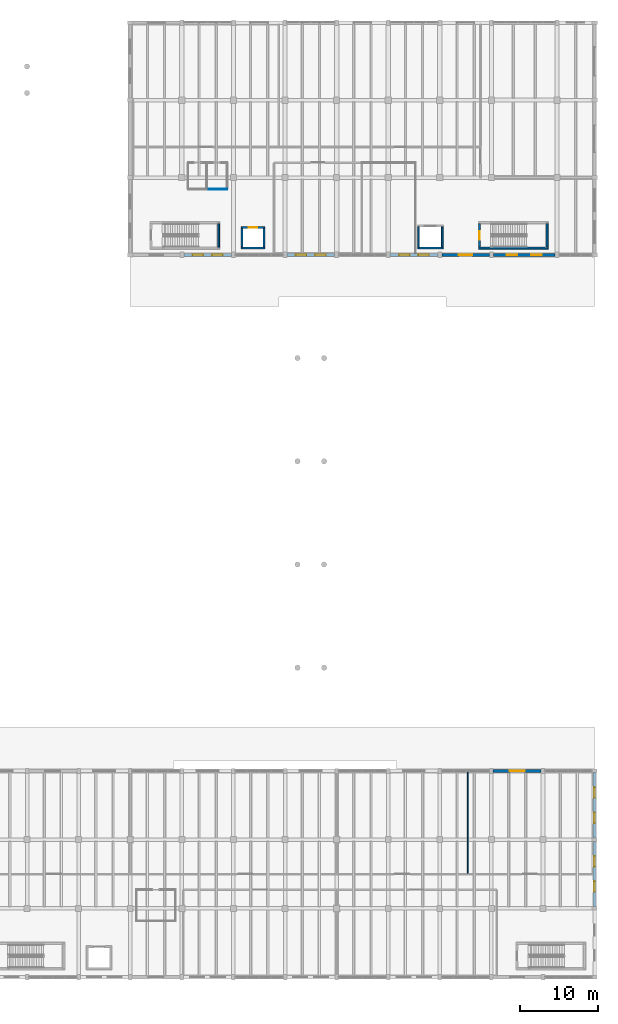
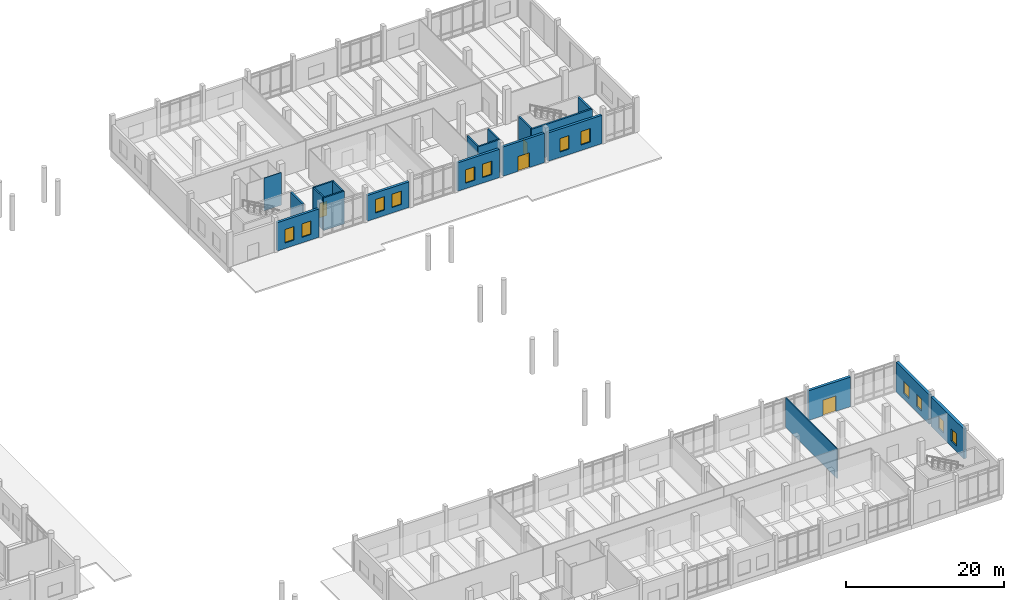
# One storey, part 54 of 72: 21 walls, 12 windows, 4 doors, 16 openings.
"""IFC4 building model written with IfcOpenShell, lengths in metres."""

from ifc_helpers import new_model, si_unit, direction, frame, frame_2d, origin, place, context, subcontext, project, spatial, rectangle, extrude, material, layer, layer_set, type_object, element, fill, save


model = new_model("IFC4")

# Units and contexts
model_context = context("Model", 3, precision=1e-05, world=origin(), true_north=direction((0.0, 1.0)))
body_context = subcontext(model_context, "Body", "Model", "MODEL_VIEW")
ifc_project = project(units=[si_unit("LENGTHUNIT", "METRE"), si_unit("AREAUNIT", "SQUARE_METRE"), si_unit("VOLUMEUNIT", "CUBIC_METRE"), si_unit("PLANEANGLEUNIT", "RADIAN"), si_unit("MASSUNIT", "GRAM", prefix="KILO")], contexts=[model_context])

# Site, building, storey
site_placement = place(None, origin())
site = spatial("IfcSite", under=ifc_project, at=site_placement, CompositionType="ELEMENT")
building_placement = place(site_placement, origin())
building = spatial("IfcBuilding", under=site, at=building_placement, Name="Dornvale Research Institute", CompositionType="ELEMENT")
storey_placement = place(building_placement, origin())
storey = spatial("IfcBuildingStorey", under=building, at=storey_placement, Name="L00", CompositionType="ELEMENT", Elevation=0.0)

# Walls
ifc_material_1 = material(Name="Epoxy-Coated Aluminum Honeycomb Cleanroom Partition", Category="aluminium")
ifc_layer_1 = layer(ifc_material_1, 0.139892578125)
ifc_layer_set_1 = layer_set([ifc_layer_1], Name="Epoxy-Coated Aluminum Honeycomb Cleanroom Partition")
wall_type_1 = type_object("IfcWallType", Name="Partition_Cleanroom_140", PredefinedType="PARTITIONING", material=ifc_layer_set_1)
wall_1_placement = place(storey_placement, frame((162.0, 13.284912109375, 0.0), z_axis=(0.0, 0.0, 1.0), x_axis=(0.0, 1.0, 0.0)))
element("IfcWall", 1, at=wall_1_placement, inside=storey, type_object=wall_type_1, Name="L00 V3 interior partition #121", PredefinedType="PARTITIONING", context=body_context, shape_type="SweptSolid", body=[
    extrude(rectangle(XDim=13.0751953125, YDim=0.139892578125, at=frame_2d((6.53759765625, 0.0))), origin(), (0.0, 0.0, 1.0), 4.580078125),
])
ifc_material_2 = material(Name="Acoustic Insulated Double-Stud Laboratory Partition")
ifc_layer_2 = layer(ifc_material_2, 0.10009765625)
ifc_layer_set_2 = layer_set([ifc_layer_2], Name="Acoustic Insulated Double-Stud Laboratory Partition")
wall_type_2 = type_object("IfcWallType", Name="Partition_Office_100", PredefinedType="PARTITIONING", material=ifc_layer_set_2)
wall_2_placement = place(storey_placement, frame((128.6650390625, 100.800048828125, 0.0), z_axis=(0.0, 0.0, 1.0), x_axis=(1.0, 0.0, 0.0)))
element("IfcWall", 2, at=wall_2_placement, inside=storey, type_object=wall_type_2, Name="L00 V4 interior partition #95", PredefinedType="PARTITIONING", context=body_context, shape_type="SweptSolid", body=[
    extrude(rectangle(XDim=2.534912109375, YDim=0.10009765625, at=frame_2d((1.267578125, 0.0))), origin(), (0.0, 0.0, 1.0), 5.0400390625),
])
ifc_material_3 = material(Name="Concrete f'c 45 MPa (C35/45)", Category="concrete")
ifc_layer_3 = layer(ifc_material_3, 0.25)
ifc_layer_set_3 = layer_set([ifc_layer_3], Name="Concrete f'c 45 MPa (C35/45)")
wall_type_3 = type_object("IfcWallType", Name="ShearWall_Core_250", PredefinedType="SHEAR", material=ifc_layer_set_3)
wall_3_placement = place(storey_placement, frame((130.125, 93.39990234375, 0.0), z_axis=(0.0, 0.0, 1.0), x_axis=(0.0, 1.0, 0.0)))
element("IfcWall", 3, at=wall_3_placement, inside=storey, type_object=wall_type_3, Name="L00 ST-3 shaft shear wall east", PredefinedType="SHEAR", context=body_context, shape_type="SweptSolid", body=[
    extrude(rectangle(XDim=3.0, YDim=0.25, at=frame_2d((1.5, 0.0))), origin(), (0.0, 0.0, 1.0), 5.06005859375),
])
wall_4_placement = place(storey_placement, frame((163.35009765625, 93.27490234375, 0.0), z_axis=(0.0, 0.0, 1.0), x_axis=(1.0, 0.0, 0.0)))
element("IfcWall", 4, at=wall_4_placement, inside=storey, type_object=wall_type_3, Name="L00 ST-4 shaft shear wall south", PredefinedType="SHEAR", context=body_context, shape_type="SweptSolid", body=[
    extrude(rectangle(XDim=8.89990234375, YDim=0.25, at=frame_2d((4.449951171875, 0.0))), origin(), (0.0, 0.0, 1.0), 5.06005859375),
])

# Wall, opening, door
wall_5_placement = place(storey_placement, frame((163.47509765625, 93.39990234375, 0.0), z_axis=(0.0, 0.0, 1.0), x_axis=(0.0, 1.0, 0.0)))
wall_5 = element("IfcWall", 5, at=wall_5_placement, inside=storey, type_object=wall_type_3, Name="L00 ST-4 shaft shear wall west", PredefinedType="SHEAR", context=body_context, shape_type="SweptSolid", body=[
    extrude(rectangle(XDim=3.0, YDim=0.25, at=frame_2d((1.5, 0.0))), origin(), (0.0, 0.0, 1.0), 5.06005859375),
])
opening_1_placement = place(wall_5_placement, frame((0.9599609375, 0.0, 0.0)))
opening_1 = element("IfcOpeningElement", 6, at=opening_1_placement, cuts=wall_5, Name="Opening SD-02", PredefinedType="OPENING", context=body_context, shape_type="SweptSolid", body=[
    extrude(rectangle(XDim=1.080078125, YDim=2.199951171875, at=frame_2d((0.5400390625, 1.10009765625))), frame((0.0, 0.139892578125, 0.0), z_axis=(0.0, -1.0, 0.0), x_axis=(1.0, 0.0, 0.0)), (0.0, 0.0, 1.0), 0.280029296875),
])
ifc_material_4 = material(Name="Insulated Fire-Rated Hollow Metal Door Assembly")
door_type_1 = type_object("IfcDoorType", Name="Door_Stair_1080x2200", OperationType="SINGLE_SWING_LEFT", PredefinedType="DOOR", material=ifc_material_4)
door_1_placement = place(opening_1_placement, origin())
door_1 = element("IfcDoor", 7, at=door_1_placement, inside=storey, type_object=door_type_1, Name="L00 ST-4 exit stair door #34", OperationType="SINGLE_SWING_LEFT", OverallHeight=2.199951171875, OverallWidth=1.080078125, PredefinedType="DOOR", context=body_context, shape_type="SweptSolid", body=[
    extrude(rectangle(XDim=1.080078125, YDim=2.199951171875, at=frame_2d((0.5400390625, 1.10009765625))), frame((0.0, 0.02490234375, 0.0), z_axis=(0.0, -1.0, 0.0), x_axis=(1.0, 0.0, 0.0)), (0.0, 0.0, 1.0), 0.050048828125),
])
fill(opening_1, door_1)

# Walls
wall_6_placement = place(storey_placement, frame((172.125, 93.39990234375, 0.0), z_axis=(0.0, 0.0, 1.0), x_axis=(0.0, 1.0, 0.0)))
element("IfcWall", 8, at=wall_6_placement, inside=storey, type_object=wall_type_3, Name="L00 ST-4 shaft shear wall east", PredefinedType="SHEAR", context=body_context, shape_type="SweptSolid", body=[
    extrude(rectangle(XDim=3.0, YDim=0.25, at=frame_2d((1.5, 0.0))), origin(), (0.0, 0.0, 1.0), 5.06005859375),
])
ifc_material_5 = material(Name="Concrete f'c 45 MPa (C35/45)", Category="concrete")
ifc_layer_4 = layer(ifc_material_5, 0.219970703125)
ifc_layer_set_4 = layer_set([ifc_layer_4], Name="Concrete f'c 45 MPa (C35/45)")
wall_type_4 = type_object("IfcWallType", Name="ShearWall_Shaft_220", PredefinedType="SHEAR", material=ifc_layer_set_4)
wall_7_placement = place(storey_placement, frame((132.97998046875, 93.2900390625, 0.0), z_axis=(0.0, 0.0, 1.0), x_axis=(1.0, 0.0, 0.0)))
element("IfcWall", 9, at=wall_7_placement, inside=storey, type_object=wall_type_4, Name="L00 LP2 elevator shaft wall south", PredefinedType="SHEAR", context=body_context, shape_type="SweptSolid", body=[
    extrude(rectangle(XDim=3.0400390625, YDim=0.219970703125, at=frame_2d((1.52001953125, 0.0))), origin(), (0.0, 0.0, 1.0), 5.06005859375),
])

# Wall, opening, door
wall_8_placement = place(storey_placement, frame((132.97998046875, 95.909912109375, 0.0), z_axis=(0.0, 0.0, 1.0), x_axis=(1.0, 0.0, 0.0)))
wall_8 = element("IfcWall", 10, at=wall_8_placement, inside=storey, type_object=wall_type_4, Name="L00 LP2 elevator shaft wall north", PredefinedType="SHEAR", context=body_context, shape_type="SweptSolid", body=[
    extrude(rectangle(XDim=3.0400390625, YDim=0.219970703125, at=frame_2d((1.52001953125, 0.0))), origin(), (0.0, 0.0, 1.0), 5.06005859375),
])
opening_2_placement = place(wall_8_placement, frame((0.969970703125, 0.0, 0.0)))
opening_2 = element("IfcOpeningElement", 11, at=opening_2_placement, cuts=wall_8, Name="Opening LD-02", PredefinedType="OPENING", context=body_context, shape_type="SweptSolid", body=[
    extrude(rectangle(XDim=1.10009765625, YDim=2.199951171875, at=frame_2d((0.550048828125, 1.10009765625))), frame((0.0, 0.125, 0.0), z_axis=(0.0, -1.0, 0.0), x_axis=(1.0, 0.0, 0.0)), (0.0, 0.0, 1.0), 0.25),
])
ifc_material_6 = material(Name="Brushed Stainless Steel Sliding Elevator Landing Door", Category="steel")
door_type_2 = type_object("IfcDoorType", Name="Door_LiftLanding_Pass_1100x2200", OperationType="SINGLE_SWING_LEFT", PredefinedType="DOOR", material=ifc_material_6)
door_2_placement = place(opening_2_placement, origin())
door_2 = element("IfcDoor", 12, at=door_2_placement, inside=storey, type_object=door_type_2, Name="L00 LP2 sliding elevator landing door #38", OperationType="SLIDING_TO_LEFT", OverallHeight=2.199951171875, OverallWidth=1.10009765625, PredefinedType="DOOR", context=body_context, shape_type="SweptSolid", body=[
    extrude(rectangle(XDim=1.10009765625, YDim=2.199951171875, at=frame_2d((0.550048828125, 1.10009765625))), frame((0.0, 0.02490234375, 0.0), z_axis=(0.0, -1.0, 0.0), x_axis=(1.0, 0.0, 0.0)), (0.0, 0.0, 1.0), 0.050048828125),
])
fill(opening_2, door_2)

# Walls
for number, where, z_axis, x_axis, name in (
    (13, (133.090087890625, 93.39990234375, 0.0), (0.0, 0.0, 1.0), (0.0, 1.0, 0.0), "L00 LP2 elevator shaft wall west"),
    (14, (135.909912109375, 93.39990234375, 0.0), (0.0, 0.0, 1.0), (0.0, 1.0, 0.0), "L00 LP2 elevator shaft wall east"),
):
    element("IfcWall", number, at=place(storey_placement, frame(where, z_axis=z_axis, x_axis=x_axis)), inside=storey, type_object=wall_type_4, Name=name, PredefinedType="SHEAR", context=body_context, shape_type="SweptSolid", body=[
        extrude(rectangle(XDim=2.400146484375, YDim=0.219970703125, at=frame_2d((1.2001953125, 0.0))), origin(), (0.0, 0.0, 1.0), 5.06005859375),
    ])
wall_9_placement = place(storey_placement, frame((155.580078125, 93.2900390625, 0.0), z_axis=(0.0, 0.0, 1.0), x_axis=(1.0, 0.0, 0.0)))
element("IfcWall", 15, at=wall_9_placement, inside=storey, type_object=wall_type_4, Name="L00 LS1 elevator shaft wall south", PredefinedType="SHEAR", context=body_context, shape_type="SweptSolid", body=[
    extrude(rectangle(XDim=3.239990234375, YDim=0.219970703125, at=frame_2d((1.6201171875, 0.0))), origin(), (0.0, 0.0, 1.0), 5.06005859375),
])
for number, where, z_axis, x_axis, name in (
    (16, (155.68994140625, 93.39990234375, 0.0), (0.0, 0.0, 1.0), (0.0, 1.0, 0.0), "L00 LS1 elevator shaft wall west"),
    (17, (158.7099609375, 93.39990234375, 0.0), (0.0, 0.0, 1.0), (0.0, 1.0, 0.0), "L00 LS1 elevator shaft wall east"),
):
    element("IfcWall", number, at=place(storey_placement, frame(where, z_axis=z_axis, x_axis=x_axis)), inside=storey, type_object=wall_type_4, Name=name, PredefinedType="SHEAR", context=body_context, shape_type="SweptSolid", body=[
        extrude(rectangle(XDim=2.60009765625, YDim=0.219970703125, at=frame_2d((1.300048828125, 0.0))), origin(), (0.0, 0.0, 1.0), 5.06005859375),
    ])

# Wall, openings, windows
ifc_material_7 = material(Name="Catalan Pressed Brick and Insulated Cavity Assembly", Category="masonry")
ifc_layer_5 = layer(ifc_material_7, 0.360107421875)
ifc_layer_set_5 = layer_set([ifc_layer_5], Name="Catalan Pressed Brick and Insulated Cavity Assembly")
wall_type_5 = type_object("IfcWallType", Name="StandardWall_BrickCavity_360", PredefinedType="STANDARD", material=ifc_layer_set_5)
wall_10_placement = place(storey_placement, frame((173.14990234375, 92.39990234375, 0.0), z_axis=(0.0, 0.0, 1.0), x_axis=(-1.0, 0.0, 0.0)))
wall_10 = element("IfcWall", 18, at=wall_10_placement, inside=storey, type_object=wall_type_5, Name="L00 V4 south exterior wall #195", PredefinedType="STANDARD", context=body_context, shape_type="SweptSolid", body=[
    extrude(rectangle(XDim=7.89990234375, YDim=0.360107421875, at=frame_2d((3.949951171875, 0.0))), origin(), (0.0, 0.0, 1.0), 4.3798828125),
])
opening_3_placement = place(wall_10_placement, frame((1.7333984375, 0.0, 0.85009765625)))
opening_3 = element("IfcOpeningElement", 19, at=opening_3_placement, cuts=wall_10, Name="Opening W-38", PredefinedType="OPENING", context=body_context, shape_type="SweptSolid", body=[
    extrude(rectangle(XDim=1.35009765625, YDim=2.080078125, at=frame_2d((0.675048828125, 1.0400390625))), frame((0.0, 0.195068359375, 0.0), z_axis=(0.0, -1.0, 0.0), x_axis=(1.0, 0.0, 0.0)), (0.0, 0.0, 1.0), 0.39013671875),
])
opening_4_placement = place(wall_10_placement, frame((4.816650390625, 0.0, 0.85009765625)))
opening_4 = element("IfcOpeningElement", 20, at=opening_4_placement, cuts=wall_10, Name="Opening W-38", PredefinedType="OPENING", context=body_context, shape_type="SweptSolid", body=[
    extrude(rectangle(XDim=1.35009765625, YDim=2.080078125, at=frame_2d((0.675048828125, 1.0400390625))), frame((0.0, 0.195068359375, 0.0), z_axis=(0.0, -1.0, 0.0), x_axis=(1.0, 0.0, 0.0)), (0.0, 0.0, 1.0), 0.39013671875),
])
ifc_material_8 = material(Name="Low-E Argon Double Insulating Glazing Unit", Category="glass")
window_type_1 = type_object("IfcWindowType", Name="Window_Alu_1350x2080_38", PartitioningType="SINGLE_PANEL", PredefinedType="WINDOW", material=ifc_material_8)
window_1_placement = place(opening_3_placement, origin())
window_1 = element("IfcWindow", 21, at=window_1_placement, inside=storey, type_object=window_type_1, Name="L00 V4 facade window W-38 #261", OverallHeight=2.080078125, OverallWidth=1.35009765625, PartitioningType="SINGLE_PANEL", PredefinedType="WINDOW", context=body_context, shape_type="SweptSolid", body=[
    extrude(rectangle(XDim=1.35009765625, YDim=2.080078125, at=frame_2d((0.675048828125, 1.0400390625))), frame((0.0, 0.030029296875, 0.0), z_axis=(0.0, -1.0, 0.0), x_axis=(1.0, 0.0, 0.0)), (0.0, 0.0, 1.0), 0.06005859375),
])
fill(opening_3, window_1)
window_2_placement = place(opening_4_placement, origin())
window_2 = element("IfcWindow", 22, at=window_2_placement, inside=storey, type_object=window_type_1, Name="L00 V4 facade window W-38 #262", OverallHeight=2.080078125, OverallWidth=1.35009765625, PartitioningType="SINGLE_PANEL", PredefinedType="WINDOW", context=body_context, shape_type="SweptSolid", body=[
    extrude(rectangle(XDim=1.35009765625, YDim=2.080078125, at=frame_2d((0.675048828125, 1.0400390625))), frame((0.0, 0.030029296875, 0.0), z_axis=(0.0, -1.0, 0.0), x_axis=(1.0, 0.0, 0.0)), (0.0, 0.0, 1.0), 0.06005859375),
])
fill(opening_4, window_2)

# Wall, opening, door
wall_11_placement = place(storey_placement, frame((164.75, 92.39990234375, 0.0), z_axis=(0.0, 0.0, 1.0), x_axis=(-1.0, 0.0, 0.0)))
wall_11 = element("IfcWall", 23, at=wall_11_placement, inside=storey, type_object=wall_type_5, Name="L00 V4 south exterior wall #196", PredefinedType="STANDARD", context=body_context, shape_type="SweptSolid", body=[
    extrude(rectangle(XDim=6.10009765625, YDim=0.360107421875, at=frame_2d((3.050048828125, 0.0))), origin(), (0.0, 0.0, 1.0), 4.530029296875),
])
opening_5_placement = place(wall_11_placement, frame((2.199951171875, 0.0, 0.0)))
opening_5 = element("IfcOpeningElement", 24, at=opening_5_placement, cuts=wall_11, Name="Opening ED-07", PredefinedType="OPENING", context=body_context, shape_type="SweptSolid", body=[
    extrude(rectangle(XDim=1.699951171875, YDim=2.300048828125, at=frame_2d((0.85009765625, 1.14990234375))), frame((0.0, 0.195068359375, 0.0), z_axis=(0.0, -1.0, 0.0), x_axis=(1.0, 0.0, 0.0)), (0.0, 0.0, 1.0), 0.39013671875),
])
ifc_material_9 = material(Name="Galvanized Hollow Metal Insulated Door Assembly")
door_type_3 = type_object("IfcDoorType", Name="Door_ExtExit_1700x2300", OperationType="SINGLE_SWING_LEFT", PredefinedType="DOOR", material=ifc_material_9)
door_3_placement = place(opening_5_placement, origin())
door_3 = element("IfcDoor", 25, at=door_3_placement, inside=storey, type_object=door_type_3, Name="L00 V4 final exit door ED-07 #23", OperationType="DOUBLE_DOOR_SINGLE_SWING", OverallHeight=2.300048828125, OverallWidth=1.699951171875, PredefinedType="DOOR", context=body_context, shape_type="SweptSolid", body=[
    extrude(rectangle(XDim=1.699951171875, YDim=2.300048828125, at=frame_2d((0.85009765625, 1.14990234375))), frame((0.0, 0.02490234375, 0.0), z_axis=(0.0, -1.0, 0.0), x_axis=(1.0, 0.0, 0.0)), (0.0, 0.0, 1.0), 0.050048828125),
])
fill(opening_5, door_3)

# Wall, openings, windows
wall_12_placement = place(storey_placement, frame((158.14990234375, 92.39990234375, 0.0), z_axis=(0.0, 0.0, 1.0), x_axis=(-1.0, 0.0, 0.0)))
wall_12 = element("IfcWall", 26, at=wall_12_placement, inside=storey, type_object=wall_type_5, Name="L00 V4 south exterior wall #197", PredefinedType="STANDARD", context=body_context, shape_type="SweptSolid", body=[
    extrude(rectangle(XDim=6.099853515625, YDim=0.360107421875, at=frame_2d((3.0498046875, 0.0))), origin(), (0.0, 0.0, 1.0), 4.3798828125),
])
opening_6_placement = place(wall_12_placement, frame((1.13330078125, 0.0, 0.85009765625)))
opening_6 = element("IfcOpeningElement", 27, at=opening_6_placement, cuts=wall_12, Name="Opening W-38", PredefinedType="OPENING", context=body_context, shape_type="SweptSolid", body=[
    extrude(rectangle(XDim=1.35009765625, YDim=2.080078125, at=frame_2d((0.675048828125, 1.0400390625))), frame((0.0, 0.195068359375, 0.0), z_axis=(0.0, -1.0, 0.0), x_axis=(1.0, 0.0, 0.0)), (0.0, 0.0, 1.0), 0.39013671875),
])
opening_7_placement = place(wall_12_placement, frame((3.61669921875, 0.0, 0.85009765625)))
opening_7 = element("IfcOpeningElement", 28, at=opening_7_placement, cuts=wall_12, Name="Opening W-38", PredefinedType="OPENING", context=body_context, shape_type="SweptSolid", body=[
    extrude(rectangle(XDim=1.35009765625, YDim=2.080078125, at=frame_2d((0.675048828125, 1.0400390625))), frame((0.0, 0.195068359375, 0.0), z_axis=(0.0, -1.0, 0.0), x_axis=(1.0, 0.0, 0.0)), (0.0, 0.0, 1.0), 0.39013671875),
])
window_3_placement = place(opening_6_placement, origin())
window_3 = element("IfcWindow", 29, at=window_3_placement, inside=storey, type_object=window_type_1, Name="L00 V4 facade window W-38 #263", OverallHeight=2.080078125, OverallWidth=1.35009765625, PartitioningType="SINGLE_PANEL", PredefinedType="WINDOW", context=body_context, shape_type="SweptSolid", body=[
    extrude(rectangle(XDim=1.35009765625, YDim=2.080078125, at=frame_2d((0.675048828125, 1.0400390625))), frame((0.0, 0.030029296875, 0.0), z_axis=(0.0, -1.0, 0.0), x_axis=(1.0, 0.0, 0.0)), (0.0, 0.0, 1.0), 0.06005859375),
])
fill(opening_6, window_3)
window_4_placement = place(opening_7_placement, origin())
window_4 = element("IfcWindow", 30, at=window_4_placement, inside=storey, type_object=window_type_1, Name="L00 V4 facade window W-38 #264", OverallHeight=2.080078125, OverallWidth=1.35009765625, PartitioningType="SINGLE_PANEL", PredefinedType="WINDOW", context=body_context, shape_type="SweptSolid", body=[
    extrude(rectangle(XDim=1.35009765625, YDim=2.080078125, at=frame_2d((0.675048828125, 1.0400390625))), frame((0.0, 0.030029296875, 0.0), z_axis=(0.0, -1.0, 0.0), x_axis=(1.0, 0.0, 0.0)), (0.0, 0.0, 1.0), 0.06005859375),
])
fill(opening_7, window_4)

wall_13_placement = place(storey_placement, frame((144.949951171875, 92.39990234375, 0.0), z_axis=(0.0, 0.0, 1.0), x_axis=(-1.0, 0.0, 0.0)))
wall_13 = element("IfcWall", 31, at=wall_13_placement, inside=storey, type_object=wall_type_5, Name="L00 V4 south exterior wall #198", PredefinedType="STANDARD", context=body_context, shape_type="SweptSolid", body=[
    extrude(rectangle(XDim=6.099853515625, YDim=0.360107421875, at=frame_2d((3.0498046875, 0.0))), origin(), (0.0, 0.0, 1.0), 3.9599609375),
])
opening_8_placement = place(wall_13_placement, frame((1.13330078125, 0.0, 0.85009765625)))
opening_8 = element("IfcOpeningElement", 32, at=opening_8_placement, cuts=wall_13, Name="Opening W-38", PredefinedType="OPENING", context=body_context, shape_type="SweptSolid", body=[
    extrude(rectangle(XDim=1.35009765625, YDim=2.080078125, at=frame_2d((0.675048828125, 1.0400390625))), frame((0.0, 0.195068359375, 0.0), z_axis=(0.0, -1.0, 0.0), x_axis=(1.0, 0.0, 0.0)), (0.0, 0.0, 1.0), 0.39013671875),
])
opening_9_placement = place(wall_13_placement, frame((3.61669921875, 0.0, 0.85009765625)))
opening_9 = element("IfcOpeningElement", 33, at=opening_9_placement, cuts=wall_13, Name="Opening W-38", PredefinedType="OPENING", context=body_context, shape_type="SweptSolid", body=[
    extrude(rectangle(XDim=1.35009765625, YDim=2.080078125, at=frame_2d((0.675048828125, 1.0400390625))), frame((0.0, 0.195068359375, 0.0), z_axis=(0.0, -1.0, 0.0), x_axis=(1.0, 0.0, 0.0)), (0.0, 0.0, 1.0), 0.39013671875),
])
window_5_placement = place(opening_8_placement, origin())
window_5 = element("IfcWindow", 34, at=window_5_placement, inside=storey, type_object=window_type_1, Name="L00 V4 facade window W-38 #265", OverallHeight=2.080078125, OverallWidth=1.35009765625, PartitioningType="SINGLE_PANEL", PredefinedType="WINDOW", context=body_context, shape_type="SweptSolid", body=[
    extrude(rectangle(XDim=1.35009765625, YDim=2.080078125, at=frame_2d((0.675048828125, 1.0400390625))), frame((0.0, 0.030029296875, 0.0), z_axis=(0.0, -1.0, 0.0), x_axis=(1.0, 0.0, 0.0)), (0.0, 0.0, 1.0), 0.06005859375),
])
fill(opening_8, window_5)
window_6_placement = place(opening_9_placement, origin())
window_6 = element("IfcWindow", 35, at=window_6_placement, inside=storey, type_object=window_type_1, Name="L00 V4 facade window W-38 #266", OverallHeight=2.080078125, OverallWidth=1.35009765625, PartitioningType="SINGLE_PANEL", PredefinedType="WINDOW", context=body_context, shape_type="SweptSolid", body=[
    extrude(rectangle(XDim=1.35009765625, YDim=2.080078125, at=frame_2d((0.675048828125, 1.0400390625))), frame((0.0, 0.030029296875, 0.0), z_axis=(0.0, -1.0, 0.0), x_axis=(1.0, 0.0, 0.0)), (0.0, 0.0, 1.0), 0.06005859375),
])
fill(opening_9, window_6)

wall_14_placement = place(storey_placement, frame((131.75, 92.39990234375, 0.0), z_axis=(0.0, 0.0, 1.0), x_axis=(-1.0, 0.0, 0.0)))
wall_14 = element("IfcWall", 36, at=wall_14_placement, inside=storey, type_object=wall_type_5, Name="L00 V4 south exterior wall #199", PredefinedType="STANDARD", context=body_context, shape_type="SweptSolid", body=[
    extrude(rectangle(XDim=6.10009765625, YDim=0.360107421875, at=frame_2d((3.050048828125, 0.0))), origin(), (0.0, 0.0, 1.0), 4.3798828125),
])
opening_10_placement = place(wall_14_placement, frame((1.13330078125, 0.0, 0.85009765625)))
opening_10 = element("IfcOpeningElement", 37, at=opening_10_placement, cuts=wall_14, Name="Opening W-38", PredefinedType="OPENING", context=body_context, shape_type="SweptSolid", body=[
    extrude(rectangle(XDim=1.35009765625, YDim=2.080078125, at=frame_2d((0.675048828125, 1.0400390625))), frame((0.0, 0.195068359375, 0.0), z_axis=(0.0, -1.0, 0.0), x_axis=(1.0, 0.0, 0.0)), (0.0, 0.0, 1.0), 0.39013671875),
])
opening_11_placement = place(wall_14_placement, frame((3.61669921875, 0.0, 0.85009765625)))
opening_11 = element("IfcOpeningElement", 38, at=opening_11_placement, cuts=wall_14, Name="Opening W-38", PredefinedType="OPENING", context=body_context, shape_type="SweptSolid", body=[
    extrude(rectangle(XDim=1.35009765625, YDim=2.080078125, at=frame_2d((0.675048828125, 1.0400390625))), frame((0.0, 0.195068359375, 0.0), z_axis=(0.0, -1.0, 0.0), x_axis=(1.0, 0.0, 0.0)), (0.0, 0.0, 1.0), 0.39013671875),
])
window_7_placement = place(opening_10_placement, origin())
window_7 = element("IfcWindow", 39, at=window_7_placement, inside=storey, type_object=window_type_1, Name="L00 V4 facade window W-38 #267", OverallHeight=2.080078125, OverallWidth=1.35009765625, PartitioningType="SINGLE_PANEL", PredefinedType="WINDOW", context=body_context, shape_type="SweptSolid", body=[
    extrude(rectangle(XDim=1.35009765625, YDim=2.080078125, at=frame_2d((0.675048828125, 1.0400390625))), frame((0.0, 0.030029296875, 0.0), z_axis=(0.0, -1.0, 0.0), x_axis=(1.0, 0.0, 0.0)), (0.0, 0.0, 1.0), 0.06005859375),
])
fill(opening_10, window_7)
window_8_placement = place(opening_11_placement, origin())
window_8 = element("IfcWindow", 40, at=window_8_placement, inside=storey, type_object=window_type_1, Name="L00 V4 facade window W-38 #268", OverallHeight=2.080078125, OverallWidth=1.35009765625, PartitioningType="SINGLE_PANEL", PredefinedType="WINDOW", context=body_context, shape_type="SweptSolid", body=[
    extrude(rectangle(XDim=1.35009765625, YDim=2.080078125, at=frame_2d((0.675048828125, 1.0400390625))), frame((0.0, 0.030029296875, 0.0), z_axis=(0.0, -1.0, 0.0), x_axis=(1.0, 0.0, 0.0)), (0.0, 0.0, 1.0), 0.06005859375),
])
fill(opening_11, window_8)

# Wall, opening, door
ifc_material_10 = material(Name="Precast Concrete f'c 40 MPa (C32/40) and Glazed Terracotta Backup Wall", Category="masonry")
ifc_layer_6 = layer(ifc_material_10, 0.39990234375)
ifc_layer_set_6 = layer_set([ifc_layer_6], Name="Precast Concrete f'c 40 MPa (C32/40) and Glazed Terracotta Backup Wall")
wall_type_6 = type_object("IfcWallType", Name="StandardWall_CleanroomExt_400", PredefinedType="STANDARD", material=ifc_layer_set_6)
wall_15_placement = place(storey_placement, frame((165.22509765625, 26.39990234375, 0.0), z_axis=(0.0, 0.0, 1.0), x_axis=(1.0, 0.0, 0.0)))
wall_15 = element("IfcWall", 41, at=wall_15_placement, inside=storey, type_object=wall_type_6, Name="L00 V3 north exterior wall #119", PredefinedType="STANDARD", context=body_context, shape_type="SweptSolid", body=[
    extrude(rectangle(XDim=6.14990234375, YDim=0.39990234375, at=frame_2d((3.074951171875, 0.0))), origin(), (0.0, 0.0, 1.0), 4.580078125),
])
opening_12_placement = place(wall_15_placement, frame((2.125, 0.0, 0.0)))
opening_12 = element("IfcOpeningElement", 42, at=opening_12_placement, cuts=wall_15, Name="Opening ED-05", PredefinedType="OPENING", context=body_context, shape_type="SweptSolid", body=[
    extrude(rectangle(XDim=1.89990234375, YDim=2.39990234375, at=frame_2d((0.949951171875, 1.199951171875))), frame((0.0, 0.21484375, 0.0), z_axis=(0.0, -1.0, 0.0), x_axis=(1.0, 0.0, 0.0)), (0.0, 0.0, 1.0), 0.429931640625),
])
ifc_material_11 = material(Name="Galvanized Hollow Metal Insulated Door Assembly")
door_type_4 = type_object("IfcDoorType", Name="Door_ExtExit_1900x2400", OperationType="SINGLE_SWING_LEFT", PredefinedType="DOOR", material=ifc_material_11)
door_4_placement = place(opening_12_placement, origin())
door_4 = element("IfcDoor", 43, at=door_4_placement, inside=storey, type_object=door_type_4, Name="L00 V3 final exit door ED-05 #16", OperationType="DOUBLE_DOOR_SINGLE_SWING", OverallHeight=2.39990234375, OverallWidth=1.89990234375, PredefinedType="DOOR", context=body_context, shape_type="SweptSolid", body=[
    extrude(rectangle(XDim=1.89990234375, YDim=2.39990234375, at=frame_2d((0.949951171875, 1.199951171875))), frame((0.0, 0.02490234375, 0.0), z_axis=(0.0, -1.0, 0.0), x_axis=(1.0, 0.0, 0.0)), (0.0, 0.0, 1.0), 0.050048828125),
])
fill(opening_12, door_4)

# Wall, openings, windows
wall_16_placement = place(storey_placement, frame((178.199951171875, 26.175048828125, 0.0), z_axis=(0.0, 0.0, 1.0), x_axis=(0.0, -1.0, 0.0)))
wall_16 = element("IfcWall", 44, at=wall_16_placement, inside=storey, type_object=wall_type_6, Name="L00 V3 east exterior wall #120", PredefinedType="STANDARD", context=body_context, shape_type="SweptSolid", body=[
    extrude(rectangle(XDim=8.35009765625, YDim=0.39990234375, at=frame_2d((4.175048828125, 0.0))), origin(), (0.0, 0.0, 1.0), 4.580078125),
])
opening_13_placement = place(wall_16_placement, frame((1.88330078125, 0.0, 0.85009765625)))
opening_13 = element("IfcOpeningElement", 45, at=opening_13_placement, cuts=wall_16, Name="Opening W-26", PredefinedType="OPENING", context=body_context, shape_type="SweptSolid", body=[
    extrude(rectangle(XDim=1.35009765625, YDim=1.8798828125, at=frame_2d((0.675048828125, 0.93994140625))), frame((0.0, 0.21484375, 0.0), z_axis=(0.0, -1.0, 0.0), x_axis=(1.0, 0.0, 0.0)), (0.0, 0.0, 1.0), 0.429931640625),
])
opening_14_placement = place(wall_16_placement, frame((5.11669921875, 0.0, 0.85009765625)))
opening_14 = element("IfcOpeningElement", 46, at=opening_14_placement, cuts=wall_16, Name="Opening W-26", PredefinedType="OPENING", context=body_context, shape_type="SweptSolid", body=[
    extrude(rectangle(XDim=1.35009765625, YDim=1.8798828125, at=frame_2d((0.675048828125, 0.93994140625))), frame((0.0, 0.21484375, 0.0), z_axis=(0.0, -1.0, 0.0), x_axis=(1.0, 0.0, 0.0)), (0.0, 0.0, 1.0), 0.429931640625),
])
ifc_material_12 = material(Name="Low-E Argon Double Insulating Glazing Unit", Category="glass")
window_type_2 = type_object("IfcWindowType", Name="Window_Alu_1350x1880_26", PartitioningType="SINGLE_PANEL", PredefinedType="WINDOW", material=ifc_material_12)
window_9_placement = place(opening_13_placement, origin())
window_9 = element("IfcWindow", 47, at=window_9_placement, inside=storey, type_object=window_type_2, Name="L00 V3 facade window W-26 #147", OverallHeight=1.8798828125, OverallWidth=1.35009765625, PartitioningType="SINGLE_PANEL", PredefinedType="WINDOW", context=body_context, shape_type="SweptSolid", body=[
    extrude(rectangle(XDim=1.35009765625, YDim=1.8798828125, at=frame_2d((0.675048828125, 0.93994140625))), frame((0.0, 0.030029296875, 0.0), z_axis=(0.0, -1.0, 0.0), x_axis=(1.0, 0.0, 0.0)), (0.0, 0.0, 1.0), 0.06005859375),
])
fill(opening_13, window_9)
window_10_placement = place(opening_14_placement, origin())
window_10 = element("IfcWindow", 48, at=window_10_placement, inside=storey, type_object=window_type_2, Name="L00 V3 facade window W-26 #148", OverallHeight=1.8798828125, OverallWidth=1.35009765625, PartitioningType="SINGLE_PANEL", PredefinedType="WINDOW", context=body_context, shape_type="SweptSolid", body=[
    extrude(rectangle(XDim=1.35009765625, YDim=1.8798828125, at=frame_2d((0.675048828125, 0.93994140625))), frame((0.0, 0.030029296875, 0.0), z_axis=(0.0, -1.0, 0.0), x_axis=(1.0, 0.0, 0.0)), (0.0, 0.0, 1.0), 0.06005859375),
])
fill(opening_14, window_10)

wall_17_placement = place(storey_placement, frame((178.199951171875, 17.375, 0.0), z_axis=(0.0, 0.0, 1.0), x_axis=(0.0, -1.0, 0.0)))
wall_17 = element("IfcWall", 49, at=wall_17_placement, inside=storey, type_object=wall_type_6, Name="L00 V3 east exterior wall #121", PredefinedType="STANDARD", context=body_context, shape_type="SweptSolid", body=[
    extrude(rectangle(XDim=8.35009765625, YDim=0.39990234375, at=frame_2d((4.175048828125, 0.0))), origin(), (0.0, 0.0, 1.0), 4.580078125),
])
opening_15_placement = place(wall_17_placement, frame((1.88330078125, 0.0, 0.85009765625)))
opening_15 = element("IfcOpeningElement", 50, at=opening_15_placement, cuts=wall_17, Name="Opening W-26", PredefinedType="OPENING", context=body_context, shape_type="SweptSolid", body=[
    extrude(rectangle(XDim=1.35009765625, YDim=1.8798828125, at=frame_2d((0.675048828125, 0.93994140625))), frame((0.0, 0.21484375, 0.0), z_axis=(0.0, -1.0, 0.0), x_axis=(1.0, 0.0, 0.0)), (0.0, 0.0, 1.0), 0.429931640625),
])
opening_16_placement = place(wall_17_placement, frame((5.11669921875, 0.0, 0.85009765625)))
opening_16 = element("IfcOpeningElement", 51, at=opening_16_placement, cuts=wall_17, Name="Opening W-26", PredefinedType="OPENING", context=body_context, shape_type="SweptSolid", body=[
    extrude(rectangle(XDim=1.35009765625, YDim=1.8798828125, at=frame_2d((0.675048828125, 0.93994140625))), frame((0.0, 0.21484375, 0.0), z_axis=(0.0, -1.0, 0.0), x_axis=(1.0, 0.0, 0.0)), (0.0, 0.0, 1.0), 0.429931640625),
])
window_11_placement = place(opening_15_placement, origin())
window_11 = element("IfcWindow", 52, at=window_11_placement, inside=storey, type_object=window_type_2, Name="L00 V3 facade window W-26 #149", OverallHeight=1.8798828125, OverallWidth=1.35009765625, PartitioningType="SINGLE_PANEL", PredefinedType="WINDOW", context=body_context, shape_type="SweptSolid", body=[
    extrude(rectangle(XDim=1.35009765625, YDim=1.8798828125, at=frame_2d((0.675048828125, 0.93994140625))), frame((0.0, 0.030029296875, 0.0), z_axis=(0.0, -1.0, 0.0), x_axis=(1.0, 0.0, 0.0)), (0.0, 0.0, 1.0), 0.06005859375),
])
fill(opening_15, window_11)
window_12_placement = place(opening_16_placement, origin())
window_12 = element("IfcWindow", 53, at=window_12_placement, inside=storey, type_object=window_type_2, Name="L00 V3 facade window W-26 #150", OverallHeight=1.8798828125, OverallWidth=1.35009765625, PartitioningType="SINGLE_PANEL", PredefinedType="WINDOW", context=body_context, shape_type="SweptSolid", body=[
    extrude(rectangle(XDim=1.35009765625, YDim=1.8798828125, at=frame_2d((0.675048828125, 0.93994140625))), frame((0.0, 0.030029296875, 0.0), z_axis=(0.0, -1.0, 0.0), x_axis=(1.0, 0.0, 0.0)), (0.0, 0.0, 1.0), 0.06005859375),
])
fill(opening_16, window_12)

save(model, "model.ifc")
